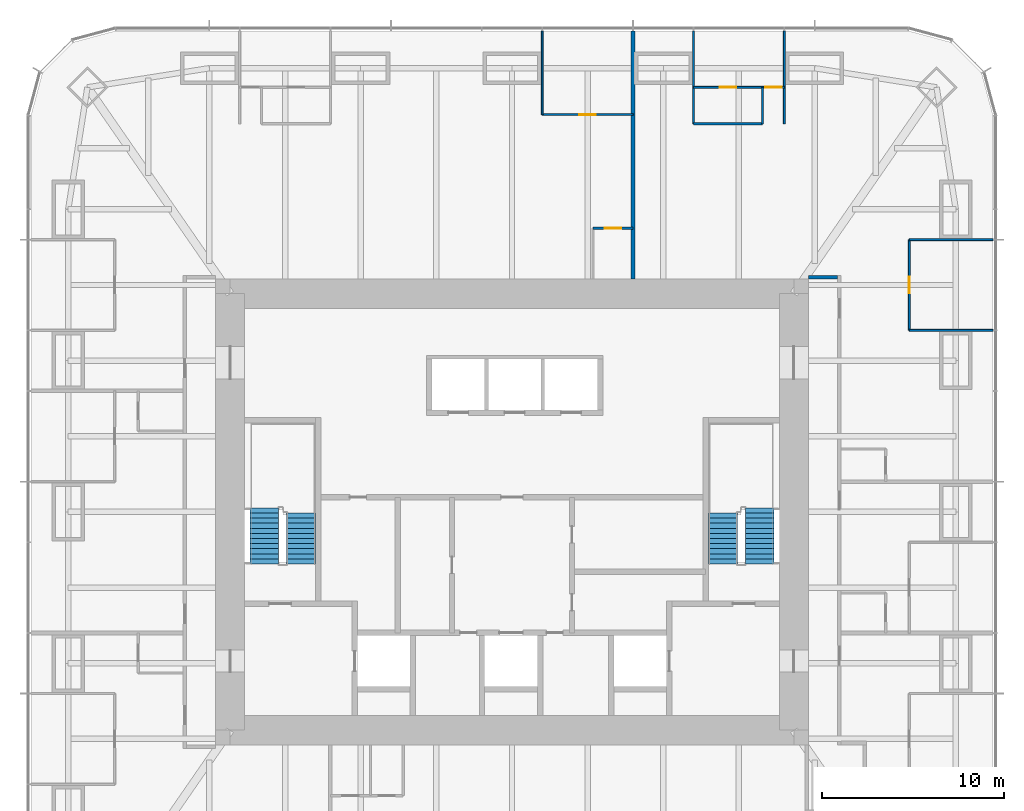
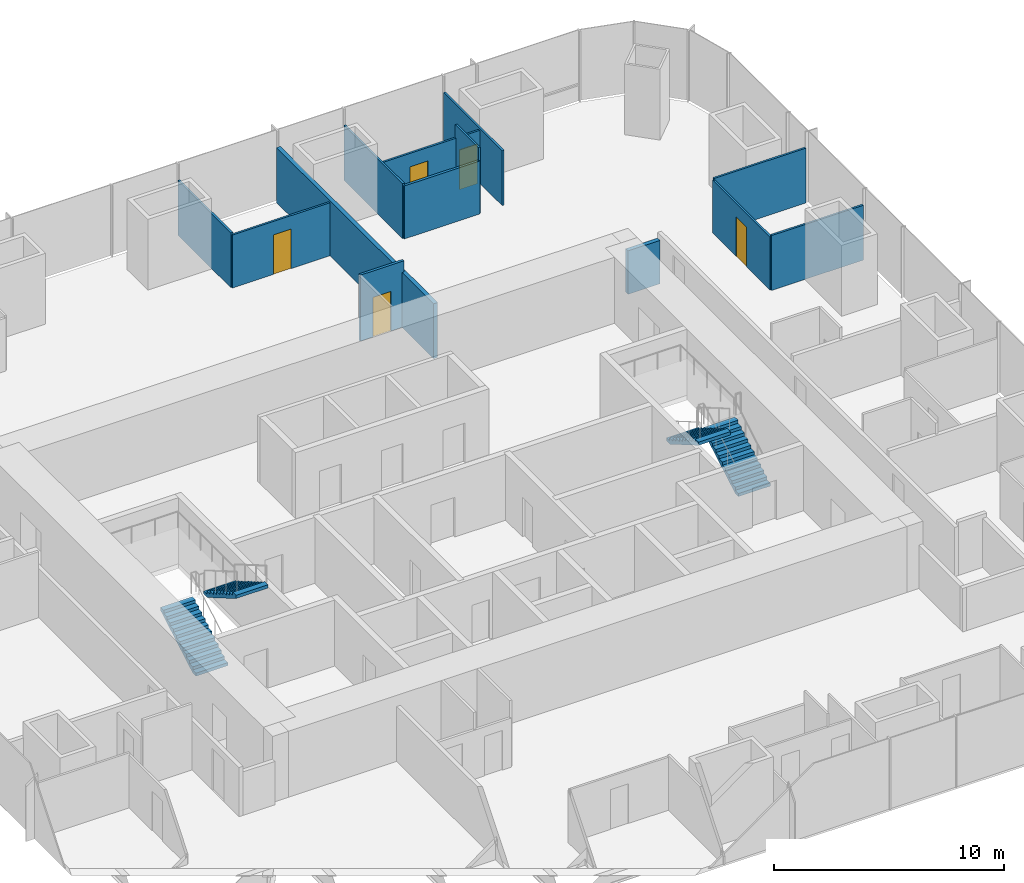
# One storey, part 11 of 12: 13 walls, 5 doors, 4 stair flights, 5 openings, 2 elements without a shape of their own.
"""IFC4 building model written with IfcOpenShell, lengths in metres."""

from ifc_helpers import new_model, si_unit, direction, frame, frame_2d, origin, place, context, subcontext, project, spatial, polyline, rectangle, outline, extrude, material, layer, layer_set, type_object, element, fill, aggregate, save


model = new_model("IFC4")

# Units and contexts
model_context = context("Model", 3, precision=1e-05, world=origin(), true_north=direction((0.0, 1.0)))
body_context = subcontext(model_context, "Body", "Model", "MODEL_VIEW")
ifc_project = project(units=[si_unit("LENGTHUNIT", "METRE"), si_unit("AREAUNIT", "SQUARE_METRE"), si_unit("VOLUMEUNIT", "CUBIC_METRE"), si_unit("PLANEANGLEUNIT", "RADIAN"), si_unit("MASSUNIT", "GRAM", prefix="KILO")], contexts=[model_context])

# Site, building, storey
site_placement = place(None, origin())
site = spatial("IfcSite", under=ifc_project, at=site_placement, CompositionType="ELEMENT")
building_placement = place(site_placement, origin())
building = spatial("IfcBuilding", under=site, at=building_placement, Name="Khuree Lantern Residences", CompositionType="ELEMENT")
storey_placement = place(building_placement, frame((0.0, 0.0, 207.0)))
storey = spatial("IfcBuildingStorey", under=building, at=storey_placement, Name="L51", CompositionType="ELEMENT", Elevation=207.0)

# Wall
ifc_material_1 = material(Name="Moisture-resistant gypsum board on steel studs", Category="steel")
ifc_layer_1 = layer(ifc_material_1, 0.125)
ifc_layer_set_1 = layer_set([ifc_layer_1], Name="BATHROOM WALL BTW125")
wall_type_1 = type_object("IfcWallType", Name="BATHROOM WALL BTW125", PredefinedType="PARTITIONING", material=ifc_layer_set_1)
wall_1_placement = place(storey_placement, frame((13.77587890625, 21.344970703125, 0.0), z_axis=(0.0, 0.0, 1.0), x_axis=(-1.0, 0.0, 0.0)))
element("IfcWall", 1, at=wall_1_placement, inside=storey, type_object=wall_type_1, Name="L51 BATHROOM WALL 02", PredefinedType="PARTITIONING", context=body_context, shape_type="SweptSolid", body=[
    extrude(rectangle(XDim=3.7919921875, YDim=0.125, at=frame_2d((1.89599609375, 0.0))), origin(), (0.0, 0.0, 1.0), 2.81005859375),
])

# Wall, opening, door
wall_2_placement = place(storey_placement, frame((6.656005859375, 15.60009765625, 0.0), z_axis=(0.0, 0.0, 1.0), x_axis=(-1.0, 0.0, 0.0)))
wall_2 = element("IfcWall", 2, at=wall_2_placement, inside=storey, type_object=wall_type_1, Name="L51 BATHROOM WALL 03", PredefinedType="PARTITIONING", context=body_context, shape_type="SweptSolid", body=[
    extrude(rectangle(XDim=2.199951171875, YDim=0.125, at=frame_2d((1.10009765625, 0.0))), origin(), (0.0, 0.0, 1.0), 3.5),
])
opening_1_placement = place(wall_2_placement, frame((0.64990234375, 0.0, 0.0)))
opening_1 = element("IfcOpeningElement", 3, at=opening_1_placement, cuts=wall_2, Name="Opening 51-032", PredefinedType="OPENING", context=body_context, shape_type="SweptSolid", body=[
    extrude(rectangle(XDim=0.89990234375, YDim=2.10009765625, at=frame_2d((0.449951171875, 1.050048828125))), frame((0.0, 0.072509765625, 0.0), z_axis=(0.0, -1.0, 0.0), x_axis=(1.0, 0.0, 0.0)), (0.0, 0.0, 1.0), 0.14501953125),
])
ifc_material_2 = material(Name="Timber door leaf in hardwood frame", Category="wood")
door_type_1 = type_object("IfcDoorType", Name="BATHROOM DOOR 900X2100", OperationType="SINGLE_SWING_LEFT", PredefinedType="DOOR", material=ifc_material_2)
door_1_placement = place(opening_1_placement, origin())
door_1 = element("IfcDoor", 4, at=door_1_placement, inside=storey, type_object=door_type_1, Name="Bathroom door 51-032", OperationType="SINGLE_SWING_LEFT", OverallHeight=2.10009765625, OverallWidth=0.89990234375, PredefinedType="DOOR", context=body_context, shape_type="SweptSolid", body=[
    extrude(rectangle(XDim=0.89990234375, YDim=2.10009765625, at=frame_2d((0.449951171875, 1.050048828125))), frame((0.0, 0.02490234375, 0.0), z_axis=(0.0, -1.0, 0.0), x_axis=(1.0, 0.0, 0.0)), (0.0, 0.0, 1.0), 0.050048828125),
])
fill(opening_1, door_1)

# Walls
ifc_material_3 = material(Name="Gypsum board on steel studs", Category="steel")
ifc_layer_2 = layer(ifc_material_3, 0.199951171875)
ifc_layer_set_2 = layer_set([ifc_layer_2], Name="CORRIDOR WALL CRW200 EI 60")
wall_type_2 = type_object("IfcWallType", Name="CORRIDOR WALL CRW200 EI 60", PredefinedType="PARTITIONING", material=ifc_layer_set_2)
wall_3_placement = place(storey_placement, frame((16.300048828125, 12.89990234375, 0.0), z_axis=(0.0, 0.0, 1.0), x_axis=(1.0, 0.0, 0.0)))
element("IfcWall", 5, at=wall_3_placement, inside=storey, type_object=wall_type_2, Name="L51 EAST CORRIDOR NORTH END WALL", PredefinedType="PARTITIONING", context=body_context, shape_type="SweptSolid", body=[
    extrude(rectangle(XDim=1.599853515625, YDim=0.199951171875, at=frame_2d((0.7998046875, 0.0))), origin(), (0.0, 0.0, 1.0), 2.300048828125),
])
ifc_layer_3 = layer(ifc_material_3, 0.199951171875)
ifc_layer_set_3 = layer_set([ifc_layer_3], Name="DEMISING WALL DMW200 EI 90")
wall_type_3 = type_object("IfcWallType", Name="DEMISING WALL DMW200 EI 90", PredefinedType="PARTITIONING", material=ifc_layer_set_3)
wall_4_placement = place(storey_placement, frame((6.656005859375, 12.800048828125, 0.0), z_axis=(0.0, 0.0, 1.0), x_axis=(0.0, 1.0, 0.0)))
element("IfcWall", 6, at=wall_4_placement, inside=storey, type_object=wall_type_3, Name="L51 DEMISING WALL 03", PredefinedType="PARTITIONING", context=body_context, shape_type="SweptSolid", body=[
    extrude(rectangle(XDim=13.64990234375, YDim=0.199951171875, at=frame_2d((6.824951171875, 0.0))), origin(), (0.0, 0.0, 1.0), 2.909912109375),
])
ifc_layer_4 = layer(ifc_material_3, 0.10009765625)
ifc_layer_set_4 = layer_set([ifc_layer_4], Name="PARTITION PT100")
wall_type_4 = type_object("IfcWallType", Name="PARTITION PT100", PredefinedType="PARTITIONING", material=ifc_layer_set_4)
for number, where, z_axis, x_axis, name in (
    (7, (21.85009765625, 9.98388671875, 0.0), (0.0, 0.0, 1.0), (1.0, 0.0, 0.0), "L51 PARTITION 02"),
    (8, (21.85009765625, 14.97607421875, 0.0), (0.0, 0.0, 1.0), (1.0, 0.0, 0.0), "L51 PARTITION 02"),
):
    element("IfcWall", number, at=place(storey_placement, frame(where, z_axis=z_axis, x_axis=x_axis)), inside=storey, type_object=wall_type_4, Name=name, PredefinedType="PARTITIONING", context=body_context, shape_type="SweptSolid", body=[
        extrude(rectangle(XDim=4.599853515625, YDim=0.10009765625, at=frame_2d((2.2998046875, 0.0))), origin(), (0.0, 0.0, 1.0), 2.909912109375),
    ])
for number, where, z_axis, x_axis, name in (
    (9, (14.97607421875, 21.344970703125, 0.0), (0.0, 0.0, 1.0), (0.0, 1.0, 0.0), "L51 PARTITION 02"),
    (10, (9.98388671875, 21.344970703125, 0.0), (0.0, 0.0, 1.0), (0.0, 1.0, 0.0), "L51 PARTITION 02"),
):
    element("IfcWall", number, at=place(storey_placement, frame(where, z_axis=z_axis, x_axis=x_axis)), inside=storey, type_object=wall_type_4, Name=name, PredefinedType="PARTITIONING", context=body_context, shape_type="SweptSolid", body=[
        extrude(rectangle(XDim=5.10498046875, YDim=0.10009765625, at=frame_2d((2.552490234375, 0.0))), origin(), (0.0, 0.0, 1.0), 2.909912109375),
    ])
wall_5_placement = place(storey_placement, frame((1.6640625, 21.85009765625, 0.0), z_axis=(0.0, 0.0, 1.0), x_axis=(0.0, 1.0, 0.0)))
element("IfcWall", 11, at=wall_5_placement, inside=storey, type_object=wall_type_4, Name="L51 PARTITION 03", PredefinedType="PARTITIONING", context=body_context, shape_type="SweptSolid", body=[
    extrude(rectangle(XDim=4.599853515625, YDim=0.10009765625, at=frame_2d((2.2998046875, 0.0))), origin(), (0.0, 0.0, 1.0), 2.909912109375),
])

# Wall, opening, door
wall_6_placement = place(storey_placement, frame((21.85009765625, 9.98388671875, 0.0), z_axis=(0.0, 0.0, 1.0), x_axis=(0.0, 1.0, 0.0)))
wall_6 = element("IfcWall", 12, at=wall_6_placement, inside=storey, type_object=wall_type_4, Name="L51 PARTITION 02", PredefinedType="PARTITIONING", context=body_context, shape_type="SweptSolid", body=[
    extrude(rectangle(XDim=4.9921875, YDim=0.10009765625, at=frame_2d((2.49609375, 0.0))), origin(), (0.0, 0.0, 1.0), 2.81005859375),
])
opening_2_placement = place(wall_6_placement, frame((2.0458984375, 0.0, 0.0)))
opening_2 = element("IfcOpeningElement", 13, at=opening_2_placement, cuts=wall_6, Name="Opening 51-023", PredefinedType="OPENING", context=body_context, shape_type="SweptSolid", body=[
    extrude(rectangle(XDim=0.89990234375, YDim=2.10009765625, at=frame_2d((0.449951171875, 1.050048828125))), frame((0.0, 0.06005859375, 0.0), z_axis=(0.0, -1.0, 0.0), x_axis=(1.0, 0.0, 0.0)), (0.0, 0.0, 1.0), 0.1201171875),
])
door_type_2 = type_object("IfcDoorType", Name="BEDROOM DOOR 900X2100", OperationType="SINGLE_SWING_LEFT", PredefinedType="DOOR", material=ifc_material_2)
door_2_placement = place(opening_2_placement, origin())
door_2 = element("IfcDoor", 14, at=door_2_placement, inside=storey, type_object=door_type_2, Name="Bedroom door 51-023", OperationType="SINGLE_SWING_LEFT", OverallHeight=2.10009765625, OverallWidth=0.89990234375, PredefinedType="DOOR", context=body_context, shape_type="SweptSolid", body=[
    extrude(rectangle(XDim=0.89990234375, YDim=2.10009765625, at=frame_2d((0.449951171875, 1.050048828125))), frame((0.0, 0.02490234375, 0.0), z_axis=(0.0, -1.0, 0.0), x_axis=(1.0, 0.0, 0.0)), (0.0, 0.0, 1.0), 0.050048828125),
])
fill(opening_2, door_2)

# Wall, openings, doors
wall_7_placement = place(storey_placement, frame((14.97607421875, 23.344970703125, 0.0), z_axis=(0.0, 0.0, 1.0), x_axis=(-1.0, 0.0, 0.0)))
wall_7 = element("IfcWall", 15, at=wall_7_placement, inside=storey, type_object=wall_type_4, Name="L51 PARTITION 02", PredefinedType="PARTITIONING", context=body_context, shape_type="SweptSolid", body=[
    extrude(rectangle(XDim=4.9921875, YDim=0.10009765625, at=frame_2d((2.49609375, 0.0))), origin(), (0.0, 0.0, 1.0), 2.81005859375),
])
opening_3_placement = place(wall_7_placement, frame((0.14990234375, 0.0, 0.0)))
opening_3 = element("IfcOpeningElement", 16, at=opening_3_placement, cuts=wall_7, Name="Opening 51-024", PredefinedType="OPENING", context=body_context, shape_type="SweptSolid", body=[
    extrude(rectangle(XDim=0.89990234375, YDim=2.10009765625, at=frame_2d((0.449951171875, 1.050048828125))), frame((0.0, 0.06005859375, 0.0), z_axis=(0.0, -1.0, 0.0), x_axis=(1.0, 0.0, 0.0)), (0.0, 0.0, 1.0), 0.1201171875),
])
opening_4_placement = place(wall_7_placement, frame((2.64599609375, 0.0, 0.0)))
opening_4 = element("IfcOpeningElement", 17, at=opening_4_placement, cuts=wall_7, Name="Opening 51-025", PredefinedType="OPENING", context=body_context, shape_type="SweptSolid", body=[
    extrude(rectangle(XDim=0.89990234375, YDim=2.10009765625, at=frame_2d((0.449951171875, 1.050048828125))), frame((0.0, 0.06005859375, 0.0), z_axis=(0.0, -1.0, 0.0), x_axis=(1.0, 0.0, 0.0)), (0.0, 0.0, 1.0), 0.1201171875),
])
door_3_placement = place(opening_4_placement, origin())
door_3 = element("IfcDoor", 18, at=door_3_placement, inside=storey, type_object=door_type_1, Name="Bathroom door 51-025", OperationType="SINGLE_SWING_LEFT", OverallHeight=2.10009765625, OverallWidth=0.89990234375, PredefinedType="DOOR", context=body_context, shape_type="SweptSolid", body=[
    extrude(rectangle(XDim=0.89990234375, YDim=2.10009765625, at=frame_2d((0.449951171875, 1.050048828125))), frame((0.0, 0.02490234375, 0.0), z_axis=(0.0, -1.0, 0.0), x_axis=(1.0, 0.0, 0.0)), (0.0, 0.0, 1.0), 0.050048828125),
])
fill(opening_4, door_3)
door_4_placement = place(opening_3_placement, origin())
door_4 = element("IfcDoor", 19, at=door_4_placement, inside=storey, type_object=door_type_2, Name="Bedroom door 51-024", OperationType="SINGLE_SWING_LEFT", OverallHeight=2.10009765625, OverallWidth=0.89990234375, PredefinedType="DOOR", context=body_context, shape_type="SweptSolid", body=[
    extrude(rectangle(XDim=0.89990234375, YDim=2.10009765625, at=frame_2d((0.449951171875, 1.050048828125))), frame((0.0, 0.02490234375, 0.0), z_axis=(0.0, -1.0, 0.0), x_axis=(1.0, 0.0, 0.0)), (0.0, 0.0, 1.0), 0.050048828125),
])
fill(opening_3, door_4)

# Wall
wall_8_placement = place(storey_placement, frame((13.77587890625, 21.344970703125, 0.0), z_axis=(0.0, 0.0, 1.0), x_axis=(0.0, 1.0, 0.0)))
element("IfcWall", 20, at=wall_8_placement, inside=storey, type_object=wall_type_4, Name="L51 PARTITION 02", PredefinedType="PARTITIONING", context=body_context, shape_type="SweptSolid", body=[
    extrude(rectangle(XDim=2.0, YDim=0.10009765625, at=frame_2d((1.0, 0.0))), origin(), (0.0, 0.0, 1.0), 3.5),
])

# Wall, opening, door
wall_9_placement = place(storey_placement, frame((6.656005859375, 21.85009765625, 0.0), z_axis=(0.0, 0.0, 1.0), x_axis=(-1.0, 0.0, 0.0)))
wall_9 = element("IfcWall", 21, at=wall_9_placement, inside=storey, type_object=wall_type_4, Name="L51 PARTITION 03", PredefinedType="PARTITIONING", context=body_context, shape_type="SweptSolid", body=[
    extrude(rectangle(XDim=4.991943359375, YDim=0.10009765625, at=frame_2d((2.49609375, 0.0))), origin(), (0.0, 0.0, 1.0), 2.81005859375),
])
opening_5_placement = place(wall_9_placement, frame((2.0458984375, 0.0, 0.0)))
opening_5 = element("IfcOpeningElement", 22, at=opening_5_placement, cuts=wall_9, Name="Opening 51-028", PredefinedType="OPENING", context=body_context, shape_type="SweptSolid", body=[
    extrude(rectangle(XDim=0.89990234375, YDim=2.10009765625, at=frame_2d((0.449951171875, 1.050048828125))), frame((0.0, 0.06005859375, 0.0), z_axis=(0.0, -1.0, 0.0), x_axis=(1.0, 0.0, 0.0)), (0.0, 0.0, 1.0), 0.1201171875),
])
door_5_placement = place(opening_5_placement, origin())
door_5 = element("IfcDoor", 23, at=door_5_placement, inside=storey, type_object=door_type_2, Name="Bedroom door 51-028", OperationType="SINGLE_SWING_LEFT", OverallHeight=2.10009765625, OverallWidth=0.89990234375, PredefinedType="DOOR", context=body_context, shape_type="SweptSolid", body=[
    extrude(rectangle(XDim=0.89990234375, YDim=2.10009765625, at=frame_2d((0.449951171875, 1.050048828125))), frame((0.0, 0.02490234375, 0.0), z_axis=(0.0, -1.0, 0.0), x_axis=(1.0, 0.0, 0.0)), (0.0, 0.0, 1.0), 0.050048828125),
])
fill(opening_5, door_5)

# Stair, stair flights
ifc_material_4 = material(Name="Concrete C40/50", Category="concrete")
stair_type = type_object("IfcStairType", Name="STAIR ST1 HALF TURN 3600", PredefinedType="HALF_TURN_STAIR", material=ifc_material_4)
stair_1_placement = place(storey_placement, origin())
stair_1 = element("IfcStair", 24, at=stair_1_placement, inside=storey, type_object=stair_type, Name="Stair ST1", PredefinedType="HALF_TURN_STAIR")
stair_flight_type = type_object("IfcStairFlightType", Name="STAIR FLIGHT SF1 1600", PredefinedType="STRAIGHT", material=ifc_material_4)
stair_flight_1_placement = place(storey_placement, frame((-13.60009765625, -2.860107421875, 0.0), z_axis=(0.0, 0.0, 1.0), x_axis=(0.0, 1.0, 0.0)))
stair_flight_1 = element("IfcStairFlight", 25, at=stair_flight_1_placement, type_object=stair_flight_type, Name="ST1 flight 1", NumberOfRisers=12, NumberOfTreads=11, PredefinedType="STRAIGHT", RiserHeight=0.163043478, TreadLength=0.28, context=body_context, shape_type="SweptSolid", body=[
    extrude(outline(polyline([(0.0, 0.0), (0.0, 0.1630859375), (0.280029296875, 0.1630859375), (0.280029296875, 0.326171875), (0.56005859375, 0.326171875), (0.56005859375, 0.489013671875), (0.840087890625, 0.489013671875), (0.840087890625, 0.652099609375), (1.1201171875, 0.652099609375), (1.1201171875, 0.815185546875), (1.39990234375, 0.815185546875), (1.39990234375, 0.978271484375), (1.679931640625, 0.978271484375), (1.679931640625, 1.141357421875), (1.9599609375, 1.141357421875), (1.9599609375, 1.304443359375), (2.239990234375, 1.304443359375), (2.239990234375, 1.46728515625), (2.52001953125, 1.46728515625), (2.52001953125, 1.63037109375), (2.800048828125, 1.63037109375), (2.800048828125, 1.79345703125), (3.080078125, 1.79345703125), (3.080078125, 1.95654296875), (3.080078125, 1.6201171875), (0.2978515625, 0.0), (0.0, 0.0)])), frame((0.0, 0.800048828125, 0.0), z_axis=(0.0, -1.0, 0.0), x_axis=(1.0, 0.0, 0.0)), (0.0, 0.0, 1.0), 1.60009765625),
])
stair_flight_2_placement = place(storey_placement, frame((-11.60009765625, -0.06005859375, 1.95654296875), z_axis=(0.0, 0.0, 1.0), x_axis=(0.0, -1.0, 0.0)))
stair_flight_2 = element("IfcStairFlight", 26, at=stair_flight_2_placement, type_object=stair_flight_type, Name="ST1 flight 2", NumberOfRisers=11, NumberOfTreads=10, PredefinedType="STRAIGHT", RiserHeight=0.163043478, TreadLength=0.28, context=body_context, shape_type="SweptSolid", body=[
    extrude(outline(polyline([(0.0, 0.0), (0.0, 0.1630859375), (0.280029296875, 0.1630859375), (0.280029296875, 0.326171875), (0.56005859375, 0.326171875), (0.56005859375, 0.489013671875), (0.840087890625, 0.489013671875), (0.840087890625, 0.652099609375), (1.1201171875, 0.652099609375), (1.1201171875, 0.815185546875), (1.39990234375, 0.815185546875), (1.39990234375, 0.978271484375), (1.679931640625, 0.978271484375), (1.679931640625, 1.141357421875), (1.9599609375, 1.141357421875), (1.9599609375, 1.304443359375), (2.239990234375, 1.304443359375), (2.239990234375, 1.46728515625), (2.52001953125, 1.46728515625), (2.52001953125, 1.63037109375), (2.800048828125, 1.63037109375), (2.800048828125, 1.79345703125), (2.800048828125, 1.45703125), (0.2978515625, 0.0), (0.0, 0.0)])), frame((0.0, 0.800048828125, 0.0), z_axis=(0.0, -1.0, 0.0), x_axis=(1.0, 0.0, 0.0)), (0.0, 0.0, 1.0), 1.60009765625),
])
aggregate(stair_1, [stair_flight_1, stair_flight_2])

stair_2_placement = place(storey_placement, origin())
stair_2 = element("IfcStair", 27, at=stair_2_placement, inside=storey, type_object=stair_type, Name="Stair ST2", PredefinedType="HALF_TURN_STAIR")
stair_flight_3_placement = place(storey_placement, frame((13.60009765625, -2.860107421875, 0.0), z_axis=(0.0, 0.0, 1.0), x_axis=(0.0, 1.0, 0.0)))
stair_flight_3 = element("IfcStairFlight", 28, at=stair_flight_3_placement, type_object=stair_flight_type, Name="ST2 flight 1", NumberOfRisers=12, NumberOfTreads=11, PredefinedType="STRAIGHT", RiserHeight=0.163043478, TreadLength=0.28, context=body_context, shape_type="SweptSolid", body=[
    extrude(outline(polyline([(0.0, 0.0), (0.0, 0.1630859375), (0.280029296875, 0.1630859375), (0.280029296875, 0.326171875), (0.56005859375, 0.326171875), (0.56005859375, 0.489013671875), (0.840087890625, 0.489013671875), (0.840087890625, 0.652099609375), (1.1201171875, 0.652099609375), (1.1201171875, 0.815185546875), (1.39990234375, 0.815185546875), (1.39990234375, 0.978271484375), (1.679931640625, 0.978271484375), (1.679931640625, 1.141357421875), (1.9599609375, 1.141357421875), (1.9599609375, 1.304443359375), (2.239990234375, 1.304443359375), (2.239990234375, 1.46728515625), (2.52001953125, 1.46728515625), (2.52001953125, 1.63037109375), (2.800048828125, 1.63037109375), (2.800048828125, 1.79345703125), (3.080078125, 1.79345703125), (3.080078125, 1.95654296875), (3.080078125, 1.6201171875), (0.2978515625, 0.0), (0.0, 0.0)])), frame((0.0, 0.800048828125, 0.0), z_axis=(0.0, -1.0, 0.0), x_axis=(1.0, 0.0, 0.0)), (0.0, 0.0, 1.0), 1.60009765625),
])
stair_flight_4_placement = place(storey_placement, frame((11.60009765625, -0.06005859375, 1.95654296875), z_axis=(0.0, 0.0, 1.0), x_axis=(0.0, -1.0, 0.0)))
stair_flight_4 = element("IfcStairFlight", 29, at=stair_flight_4_placement, type_object=stair_flight_type, Name="ST2 flight 2", NumberOfRisers=11, NumberOfTreads=10, PredefinedType="STRAIGHT", RiserHeight=0.163043478, TreadLength=0.28, context=body_context, shape_type="SweptSolid", body=[
    extrude(outline(polyline([(0.0, 0.0), (0.0, 0.1630859375), (0.280029296875, 0.1630859375), (0.280029296875, 0.326171875), (0.56005859375, 0.326171875), (0.56005859375, 0.489013671875), (0.840087890625, 0.489013671875), (0.840087890625, 0.652099609375), (1.1201171875, 0.652099609375), (1.1201171875, 0.815185546875), (1.39990234375, 0.815185546875), (1.39990234375, 0.978271484375), (1.679931640625, 0.978271484375), (1.679931640625, 1.141357421875), (1.9599609375, 1.141357421875), (1.9599609375, 1.304443359375), (2.239990234375, 1.304443359375), (2.239990234375, 1.46728515625), (2.52001953125, 1.46728515625), (2.52001953125, 1.63037109375), (2.800048828125, 1.63037109375), (2.800048828125, 1.79345703125), (2.800048828125, 1.45703125), (0.2978515625, 0.0), (0.0, 0.0)])), frame((0.0, 0.800048828125, 0.0), z_axis=(0.0, -1.0, 0.0), x_axis=(1.0, 0.0, 0.0)), (0.0, 0.0, 1.0), 1.60009765625),
])
aggregate(stair_2, [stair_flight_3, stair_flight_4])

save(model, "model.ifc")
